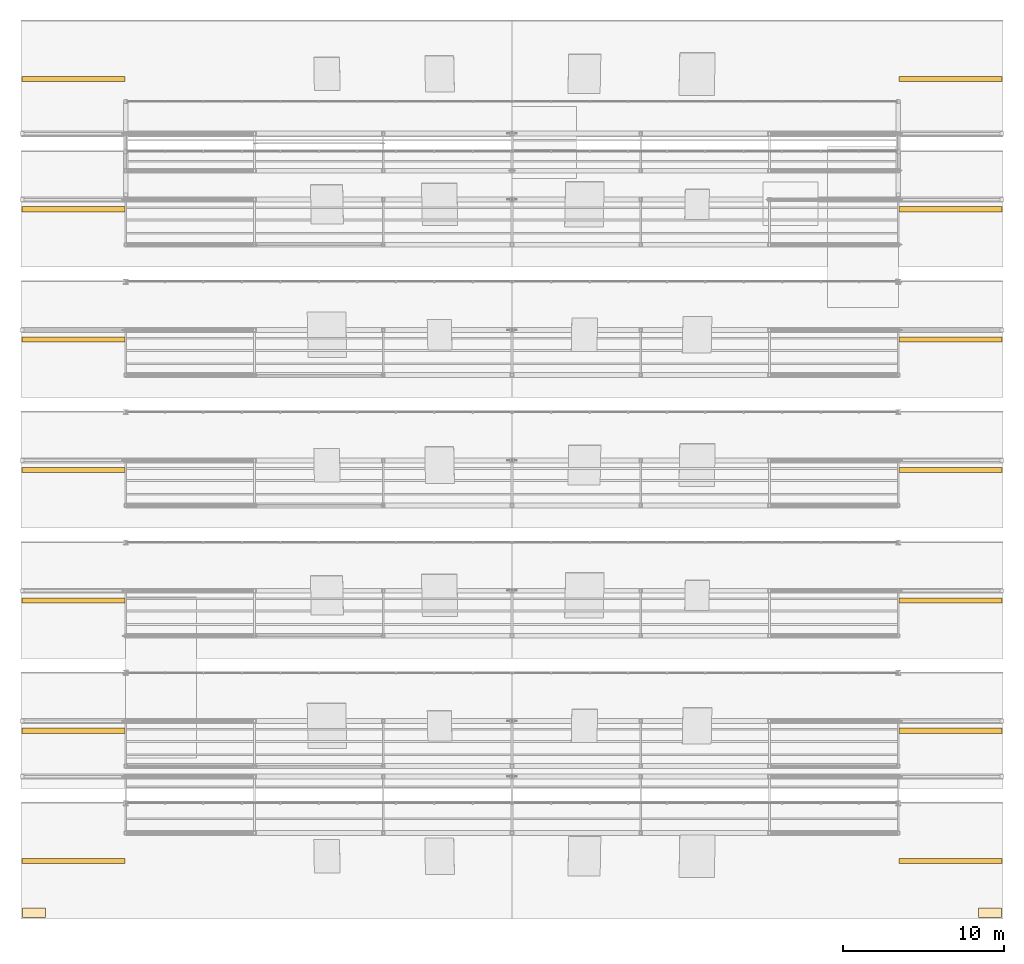
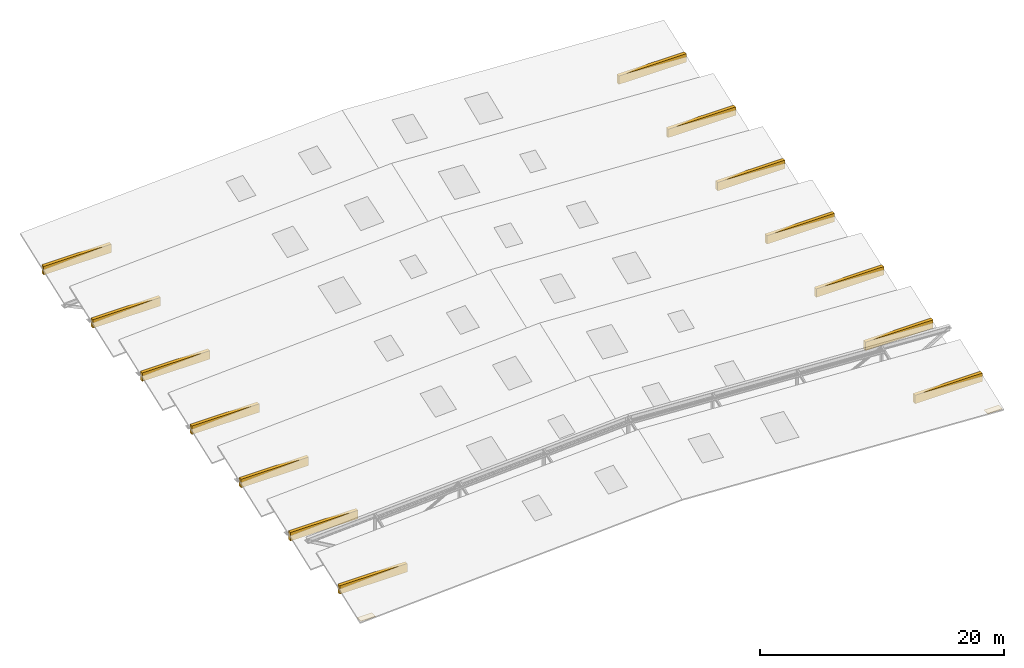
# One storey, part 141 of 141: 16 coverings.
"""IFC4 building model written with IfcOpenShell, lengths in metres."""

from ifc_helpers import new_model, si_unit, direction, frame, origin, origin_2d, place, context, subcontext, project, spatial, polyline, rectangle, outline, extrude, material, layer, layer_set, type_object, element, save


model = new_model("IFC4")

# Units and contexts
model_context = context("Model", 3, precision=1e-05, world=origin(), true_north=direction((0.0, 1.0)))
body_context = subcontext(model_context, "Body", "Model", "MODEL_VIEW")
ifc_project = project(units=[si_unit("LENGTHUNIT", "METRE"), si_unit("AREAUNIT", "SQUARE_METRE"), si_unit("VOLUMEUNIT", "CUBIC_METRE"), si_unit("PLANEANGLEUNIT", "RADIAN"), si_unit("MASSUNIT", "GRAM", prefix="KILO")], contexts=[model_context])

# Site, building, storey
site_placement = place(None, origin())
site = spatial("IfcSite", under=ifc_project, at=site_placement, CompositionType="ELEMENT")
building_placement = place(site_placement, origin())
building = spatial("IfcBuilding", under=site, at=building_placement, Name="Sundkrona Museum", CompositionType="ELEMENT")
storey_placement = place(building_placement, frame((0.0, 0.0, 34.0)))
storey = spatial("IfcBuildingStorey", under=building, at=storey_placement, Name="RF", CompositionType="ELEMENT", Elevation=34.0)

# Coverings
ifc_material_1 = material(Name="Frost-Resistant Vitrified Stoneware Mosaic Cladding", Category="masonry")
ifc_layer_1 = layer(ifc_material_1, 0.044921875)
ifc_layer_set_1 = layer_set([ifc_layer_1], Name="Frost-Resistant Vitrified Stoneware Mosaic Cladding")
covering_type_1 = type_object("IfcCoveringType", Name="COV-CLD-MOS", PredefinedType="CLADDING", material=ifc_layer_set_1)
for number, where, z_axis, x_axis, name in (
    (1, (116.75, -1.39990234375, 1.373046875), (0.0, 0.0, 1.0), (1.0, 0.0, 0.0), "Sawtooth Blade 1 West Cantilever Folded Rib"),
    (2, (171.25, -1.39990234375, 1.373046875), (0.0, 0.0, 1.0), (1.0, 0.0, 0.0), "Sawtooth Blade 1 East Cantilever Folded Rib"),
    (3, (116.75, 6.699951171875, 1.79296875), (0.0, 0.0, 1.0), (1.0, 0.0, 0.0), "Sawtooth Blade 2 West Cantilever Folded Rib"),
    (4, (171.25, 6.699951171875, 1.79296875), (0.0, 0.0, 1.0), (1.0, 0.0, 0.0), "Sawtooth Blade 2 East Cantilever Folded Rib"),
    (5, (116.75, 14.800048828125, 2.213134765625), (0.0, 0.0, 1.0), (1.0, 0.0, 0.0), "Sawtooth Blade 3 West Cantilever Folded Rib"),
    (6, (171.25, 14.800048828125, 2.213134765625), (0.0, 0.0, 1.0), (1.0, 0.0, 0.0), "Sawtooth Blade 3 East Cantilever Folded Rib"),
    (7, (116.75, 22.89990234375, 2.633056640625), (0.0, 0.0, 1.0), (1.0, 0.0, 0.0), "Sawtooth Blade 4 West Cantilever Folded Rib"),
    (8, (171.25, 22.89990234375, 2.633056640625), (0.0, 0.0, 1.0), (1.0, 0.0, 0.0), "Sawtooth Blade 4 East Cantilever Folded Rib"),
    (9, (116.75, 31.0, 3.052978515625), (0.0, 0.0, 1.0), (1.0, 0.0, 0.0), "Sawtooth Blade 5 West Cantilever Folded Rib"),
    (10, (171.25, 31.0, 3.052978515625), (0.0, 0.0, 1.0), (1.0, 0.0, 0.0), "Sawtooth Blade 5 East Cantilever Folded Rib"),
    (11, (116.75, 39.10009765625, 3.47314453125), (0.0, 0.0, 1.0), (1.0, 0.0, 0.0), "Sawtooth Blade 6 West Cantilever Folded Rib"),
    (12, (171.25, 39.10009765625, 3.47314453125), (0.0, 0.0, 1.0), (1.0, 0.0, 0.0), "Sawtooth Blade 6 East Cantilever Folded Rib"),
    (13, (116.75, 47.199951171875, 3.89306640625), (0.0, 0.0, 1.0), (1.0, 0.0, 0.0), "Sawtooth Blade 7 West Cantilever Folded Rib"),
    (14, (171.25, 47.199951171875, 3.89306640625), (0.0, 0.0, 1.0), (1.0, 0.0, 0.0), "Sawtooth Blade 7 East Cantilever Folded Rib"),
):
    element("IfcCovering", number, at=place(storey_placement, frame(where, z_axis=z_axis, x_axis=x_axis)), inside=storey, type_object=covering_type_1, Name=name, PredefinedType="CLADDING", context=body_context, shape_type="SweptSolid", body=[
        extrude(rectangle(XDim=6.39990234375, YDim=0.320068359375, at=origin_2d()), origin(), (0.0, 0.0, 1.0), 0.85009765625),
    ])
ifc_material_2 = material(Name="Standing-Seam Patinated Copper Roofing", Category="other")
ifc_layer_2 = layer(ifc_material_2, 0.044921875)
ifc_layer_set_2 = layer_set([ifc_layer_2], Name="Standing-Seam Patinated Copper Roofing")
covering_type_2 = type_object("IfcCoveringType", Name="COV-RF-COP", PredefinedType="ROOFING", material=ifc_layer_set_2)
covering_1_placement = place(storey_placement, frame((0.0, 0.0, 0.64990234375)))
element("IfcCovering", 15, at=covering_1_placement, inside=storey, type_object=covering_type_2, Name="RF Patinated Copper Eave Gutter Flashing (COV-COP-RF-01)", PredefinedType="ROOFING", context=body_context, shape_type="SweptSolid", body=[
    extrude(outline(polyline([(113.60009765625, -4.89990234375), (115.0, -4.89990234375), (115.0, -4.300048828125), (113.60009765625, -4.300048828125), (113.60009765625, -4.89990234375)])), origin(), (0.0, 0.0, 1.0), 0.045166015625),
])
covering_2_placement = place(storey_placement, frame((0.0, 0.0, 0.64990234375)))
element("IfcCovering", 16, at=covering_2_placement, inside=storey, type_object=covering_type_2, Name="RF Patinated Copper Eave Gutter Flashing (COV-COP-RF-02)", PredefinedType="ROOFING", context=body_context, shape_type="SweptSolid", body=[
    extrude(outline(polyline([(173.0, -4.89990234375), (174.39990234375, -4.89990234375), (174.39990234375, -4.300048828125), (173.0, -4.300048828125), (173.0, -4.89990234375)])), origin(), (0.0, 0.0, 1.0), 0.045166015625),
])

save(model, "model.ifc")
